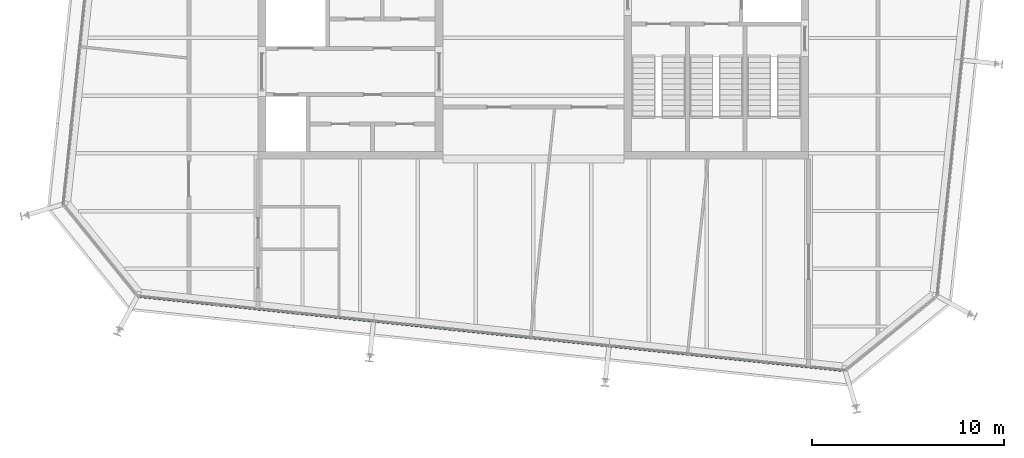
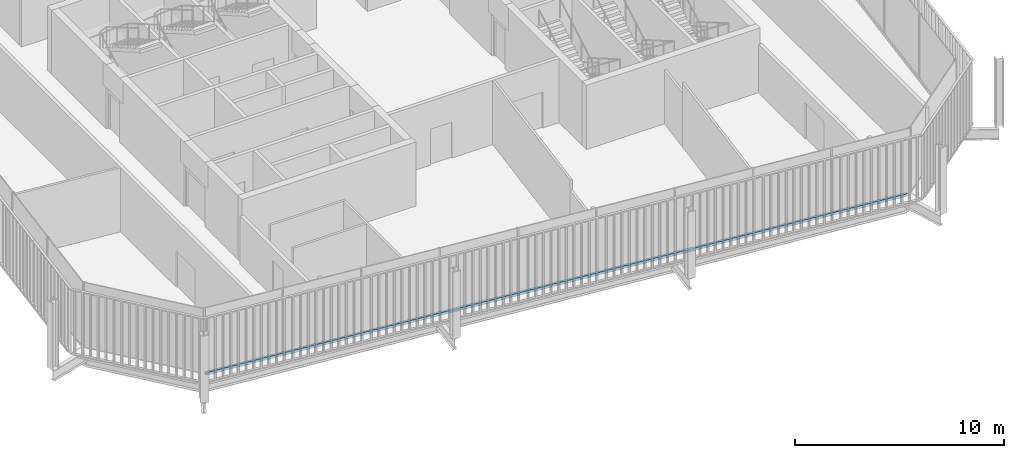
# One storey, part 4 of 20: 1 member, 1 element without a shape of its own.
"""IFC4 building model written with IfcOpenShell, lengths in metres."""

from ifc_helpers import new_model, si_unit, direction, frame, origin, origin_2d, place, context, subcontext, project, spatial, rectangle, extrude, material, layer, layer_set, material_profile, profile_set, type_object, element, aggregate, save


model = new_model("IFC4")

# Units and contexts
model_context = context("Model", 3, precision=1e-05, world=origin(), true_north=direction((0.0, 1.0)))
body_context = subcontext(model_context, "Body", "Model", "MODEL_VIEW")
ifc_project = project(units=[si_unit("LENGTHUNIT", "METRE"), si_unit("AREAUNIT", "SQUARE_METRE"), si_unit("VOLUMEUNIT", "CUBIC_METRE"), si_unit("PLANEANGLEUNIT", "RADIAN"), si_unit("MASSUNIT", "GRAM", prefix="KILO")], contexts=[model_context])

# Site, building, storey
site_placement = place(None, origin())
site = spatial("IfcSite", under=ifc_project, at=site_placement, CompositionType="ELEMENT")
building_placement = place(site_placement, origin())
building = spatial("IfcBuilding", under=site, at=building_placement, Name="Millrace Tower", CompositionType="ELEMENT")
storey_placement = place(building_placement, frame((0.0, 0.0, 322.60009765625)))
storey = spatial("IfcBuildingStorey", under=building, at=storey_placement, Name="L74", CompositionType="ELEMENT", Elevation=322.60009765625)

# Curtain wall, member
ifc_material_1 = material(Name="Aluminium and glass", Category="aluminium")
ifc_layer = layer(ifc_material_1, 0.14990234375)
ifc_layer_set = layer_set([ifc_layer], Name="Aluminium and glass")
curtain_wall_type = type_object("IfcCurtainWallType", Name="CW-1 office vision curtain wall", PredefinedType="NOTDEFINED", material=ifc_layer_set)
curtain_wall_placement = place(storey_placement, origin())
curtain_wall = element("IfcCurtainWall", 1, at=curtain_wall_placement, inside=storey, type_object=curtain_wall_type, Name="Curtain wall E-F02 L74", PredefinedType="NOTDEFINED")
ifc_material_2 = material(Name="Aluminium", Category="aluminium")
ifc_material_profile = material_profile(ifc_material_2, rectangle(XDim=0.14990234375, YDim=0.139892578125, at=origin_2d()))
ifc_profile_set = profile_set([ifc_material_profile], Name="Aluminium")
member_type = type_object("IfcMemberType", Name="CW-1 office vision curtain wall transom", PredefinedType="USERDEFINED", material=ifc_profile_set)
member_placement = place(storey_placement, frame((-20.435302734375, -16.431884765625, 0.06982421875), z_axis=(0.994521952886, -0.104527916025, 0.0), x_axis=(0.104527916025, 0.994521952886, 0.0)))
member = element("IfcMember", 2, at=member_placement, type_object=member_type, Name="CW1 transom E-F02.1", ObjectType="TRANSOM", PredefinedType="USERDEFINED", context=body_context, shape_type="SweptSolid", body=[
    extrude(rectangle(XDim=0.14990234375, YDim=0.139892578125, at=origin_2d()), origin(), (0.0, 0.0, 1.0), 36.699951171875),
])
aggregate(curtain_wall, [member])

save(model, "model.ifc")
